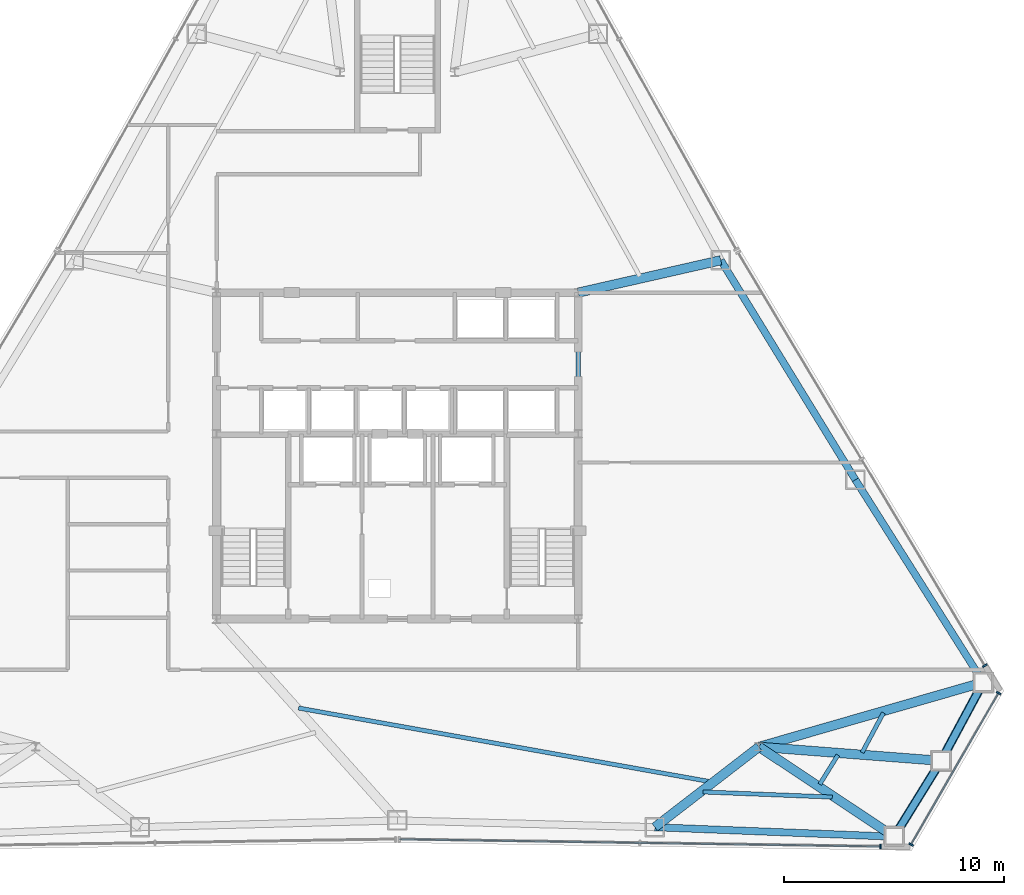
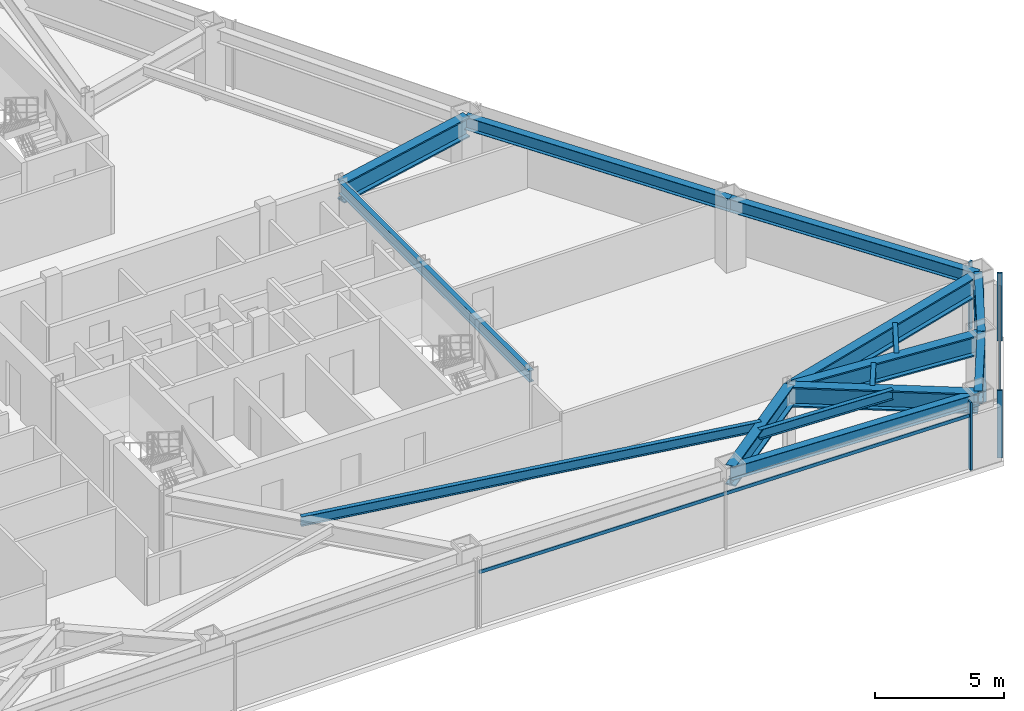
# One storey, part 6 of 13: 15 beams, 8 members, 3 elements without a shape of their own.
"""IFC4 building model written with IfcOpenShell, lengths in metres."""

from ifc_helpers import new_model, si_unit, direction, frame, origin, origin_2d, place, context, subcontext, project, spatial, rectangle, hollow_rectangle, i_section, extrude, source, transform, mapped, material, layer, layer_set, material_profile, profile_set, type_object, type_shapes, element, aggregate, save


model = new_model("IFC4")

# Units and contexts
model_context = context("Model", 3, precision=1e-05, world=origin(), true_north=direction((0.0, 1.0)))
body_context = subcontext(model_context, "Body", "Model", "MODEL_VIEW")
ifc_project = project(units=[si_unit("LENGTHUNIT", "METRE"), si_unit("AREAUNIT", "SQUARE_METRE"), si_unit("VOLUMEUNIT", "CUBIC_METRE"), si_unit("PLANEANGLEUNIT", "RADIAN"), si_unit("MASSUNIT", "GRAM", prefix="KILO")], contexts=[model_context])

# Site, building, storey
site_placement = place(None, origin())
site = spatial("IfcSite", under=ifc_project, at=site_placement, CompositionType="ELEMENT")
building_placement = place(site_placement, origin())
building = spatial("IfcBuilding", under=site, at=building_placement, Name="Varakhsha Concourse Tower", CompositionType="ELEMENT")
storey_placement = place(building_placement, frame((0.0, 0.0, 143.60009765625)))
storey = spatial("IfcBuildingStorey", under=building, at=storey_placement, Name="L41", CompositionType="ELEMENT", Elevation=143.60009765625)

# Beams
ifc_material_1 = material(Name="Structural Steel ASTM A992 Grade 50", Category="steel")
ifc_material_profile_1 = material_profile(ifc_material_1, i_section(OverallWidth=0.19091796875, OverallDepth=0.45703125, WebThickness=0.009033203125, FlangeThickness=0.013916015625, at=origin_2d()), Name="W18X50")
ifc_profile_set_1 = profile_set([ifc_material_profile_1], Name="Structural Steel ASTM A992 Grade 50")
beam_type_1 = type_object("IfcBeamType", Name="BM-JST-W18X50", PredefinedType="JOIST", material=ifc_profile_set_1)
beam_1_placement = place(storey_placement, frame((35.516357421875, 12.360595703125, 2.9814453125), z_axis=(0.984372712142, -0.176097596777, 0.0), x_axis=(0.176097596777, 0.984372712142, 0.0)))
element("IfcBeam", 1, at=beam_1_placement, inside=storey, type_object=beam_type_1, Name="BM-TJST-L41-11", PredefinedType="JOIST", context=body_context, shape_type="SweptSolid", body=[
    extrude(i_section(OverallWidth=0.19091796875, OverallDepth=0.45703125, WebThickness=0.009033203125, FlangeThickness=0.013916015625, at=origin_2d()), origin(), (0.0, 0.0, 1.0), 18.99365234375),
])
beam_2_placement = place(storey_placement, frame((53.864501953125, 8.5546875, 2.9814453125), z_axis=(0.999213812378, -0.039645392572, 0.0), x_axis=(0.039645392572, 0.999213812378, 0.0)))
element("IfcBeam", 2, at=beam_2_placement, inside=storey, type_object=beam_type_1, Name="BM-TJST-L41-12", PredefinedType="JOIST", context=body_context, shape_type="SweptSolid", body=[
    extrude(i_section(OverallWidth=0.19091796875, OverallDepth=0.45703125, WebThickness=0.009033203125, FlangeThickness=0.013916015625, at=origin_2d()), origin(), (0.0, 0.0, 1.0), 5.862548828125),
])
beam_3_placement = place(storey_placement, frame((59.154541015625, 8.900390625, 2.9814453125), z_axis=(0.525799446458, 0.850608571615, 0.0), x_axis=(-0.850608571615, 0.525799446458, 0.0)))
element("IfcBeam", 3, at=beam_3_placement, inside=storey, type_object=beam_type_1, Name="BM-TJST-L41-13", PredefinedType="JOIST", context=body_context, shape_type="SweptSolid", body=[
    extrude(i_section(OverallWidth=0.19091796875, OverallDepth=0.45703125, WebThickness=0.009033203125, FlangeThickness=0.013916015625, at=origin_2d()), origin(), (0.0, 0.0, 1.0), 1.5595703125),
])
beam_4_placement = place(storey_placement, frame((61.075439453125, 10.34130859375, 2.9814453125), z_axis=(0.473665428996, 0.880704866215, 0.0), x_axis=(-0.880704866215, 0.473665428996, 0.0)))
element("IfcBeam", 4, at=beam_4_placement, inside=storey, type_object=beam_type_1, Name="BM-TJST-L41-14", PredefinedType="JOIST", context=body_context, shape_type="SweptSolid", body=[
    extrude(i_section(OverallWidth=0.19091796875, OverallDepth=0.45703125, WebThickness=0.009033203125, FlangeThickness=0.013916015625, at=origin_2d()), origin(), (0.0, 0.0, 1.0), 2.044677734375),
])
ifc_material_profile_2 = material_profile(ifc_material_1, i_section(OverallWidth=0.423095703125, OverallDepth=0.947998046875, WebThickness=0.0380859375, FlangeThickness=0.06396484375, at=origin_2d()), Name="W36X302")
ifc_profile_set_2 = profile_set([ifc_material_profile_2], Name="Structural Steel ASTM A992 Grade 50")
beam_type_2 = type_object("IfcBeamType", Name="BM-OUTR-W36X302", PredefinedType="USERDEFINED", material=ifc_profile_set_2)
beam_5_placement = place(storey_placement, frame((56.39990234375, 10.60009765625, 2.73583984375), z_axis=(-0.791765293301, -0.610825441778, 0.0), x_axis=(0.610825441778, -0.791765293301, 0.0)))
element("IfcBeam", 5, at=beam_5_placement, inside=storey, type_object=beam_type_2, Name="L41 Radial Floor Girder 12", ObjectType="GIRDER", PredefinedType="USERDEFINED", context=body_context, shape_type="SweptSolid", body=[
    extrude(i_section(OverallWidth=0.423095703125, OverallDepth=0.947998046875, WebThickness=0.0380859375, FlangeThickness=0.06396484375, at=origin_2d()), origin(), (0.0, 0.0, 1.0), 5.966552734375),
])
beam_6_placement = place(storey_placement, frame((56.39990234375, 10.60009765625, 2.73583984375), z_axis=(0.832708011905, -0.553712350332, 0.0), x_axis=(0.553712350332, 0.832708011905, 0.0)))
element("IfcBeam", 6, at=beam_6_placement, inside=storey, type_object=beam_type_2, Name="L41 Radial Floor Girder 13", ObjectType="GIRDER", PredefinedType="USERDEFINED", context=body_context, shape_type="SweptSolid", body=[
    extrude(i_section(OverallWidth=0.423095703125, OverallDepth=0.947998046875, WebThickness=0.0380859375, FlangeThickness=0.06396484375, at=origin_2d()), origin(), (0.0, 0.0, 1.0), 7.360107421875),
])
beam_7_placement = place(storey_placement, frame((56.39990234375, 10.60009765625, 2.73583984375), z_axis=(0.997052750856, -0.076719045946, 0.0), x_axis=(0.076719045946, 0.997052750856, 0.0)))
element("IfcBeam", 7, at=beam_7_placement, inside=storey, type_object=beam_type_2, Name="L41 Radial Floor Girder 14", ObjectType="GIRDER", PredefinedType="USERDEFINED", context=body_context, shape_type="SweptSolid", body=[
    extrude(i_section(OverallWidth=0.423095703125, OverallDepth=0.947998046875, WebThickness=0.0380859375, FlangeThickness=0.06396484375, at=origin_2d()), origin(), (0.0, 0.0, 1.0), 8.2802734375),
])
beam_8_placement = place(storey_placement, frame((56.39990234375, 10.60009765625, 2.73583984375), z_axis=(0.961004351566, 0.27653324623, 0.0), x_axis=(-0.27653324623, 0.961004351566, 0.0)))
element("IfcBeam", 8, at=beam_8_placement, inside=storey, type_object=beam_type_2, Name="L41 Radial Floor Girder 15", ObjectType="GIRDER", PredefinedType="USERDEFINED", context=body_context, shape_type="SweptSolid", body=[
    extrude(i_section(OverallWidth=0.423095703125, OverallDepth=0.947998046875, WebThickness=0.0380859375, FlangeThickness=0.06396484375, at=origin_2d()), origin(), (0.0, 0.0, 1.0), 10.584716796875),
])
beam_9_placement = place(storey_placement, frame((48.199951171875, 31.199951171875, 2.73583984375), z_axis=(0.97518598452, 0.221387207388, 0.0), x_axis=(-0.221387207388, 0.97518598452, 0.0)))
element("IfcBeam", 9, at=beam_9_placement, inside=storey, type_object=beam_type_2, Name="L41 Radial Floor Girder 17", ObjectType="GIRDER", PredefinedType="USERDEFINED", context=body_context, shape_type="SweptSolid", body=[
    extrude(i_section(OverallWidth=0.423095703125, OverallDepth=0.947998046875, WebThickness=0.0380859375, FlangeThickness=0.06396484375, at=origin_2d()), origin(), (0.0, 0.0, 1.0), 6.632080078125),
])
ifc_material_profile_3 = material_profile(ifc_material_1, i_section(OverallWidth=0.2109375, OverallDepth=0.5390625, WebThickness=0.011962890625, FlangeThickness=0.01904296875, at=origin_2d()), Name="W21X73")
ifc_profile_set_3 = profile_set([ifc_material_profile_3], Name="Structural Steel ASTM A992 Grade 50")
beam_type_3 = type_object("IfcBeamType", Name="BM-RAD-W21X73", PredefinedType="BEAM", material=ifc_profile_set_3)
beam_10_placement = place(storey_placement, frame((48.199951171875, 16.39990234375, 2.9404296875), z_axis=(0.0, 1.0, 0.0), x_axis=(-1.0, 0.0, 0.0)))
element("IfcBeam", 10, at=beam_10_placement, inside=storey, type_object=beam_type_3, Name="BM-TCORE-L41-CE", PredefinedType="BEAM", context=body_context, shape_type="SweptSolid", body=[
    extrude(i_section(OverallWidth=0.2109375, OverallDepth=0.5390625, WebThickness=0.011962890625, FlangeThickness=0.01904296875, at=origin_2d()), origin(), (0.0, 0.0, 1.0), 14.800048828125),
])
ifc_material_profile_4 = material_profile(ifc_material_1, i_section(OverallWidth=0.323974609375, OverallDepth=0.611083984375, WebThickness=0.012939453125, FlangeThickness=0.01904296875, at=origin_2d()), Name="W24X104")
ifc_profile_set_4 = profile_set([ifc_material_profile_4], Name="Structural Steel ASTM A992 Grade 50")
beam_type_4 = type_object("IfcBeamType", Name="BM-SPAN-W24X104", PredefinedType="SPANDREL", material=ifc_profile_set_4)
beam_11_placement = place(storey_placement, frame((51.67578125, 6.95556640625, 2.904296875), z_axis=(0.999212728307, -0.039672705841, 0.0), x_axis=(0.039672705841, 0.999212728307, 0.0)))
element("IfcBeam", 11, at=beam_11_placement, inside=storey, type_object=beam_type_4, Name="BM-SPAN-L41-12", PredefinedType="SPANDREL", context=body_context, shape_type="SweptSolid", body=[
    extrude(i_section(OverallWidth=0.323974609375, OverallDepth=0.611083984375, WebThickness=0.012939453125, FlangeThickness=0.01904296875, at=origin_2d()), origin(), (0.0, 0.0, 1.0), 10.861572265625),
])
beam_12_placement = place(storey_placement, frame((62.52880859375, 6.524658203125, 2.904296875), z_axis=(0.525874503709, 0.850562170772, 0.0), x_axis=(-0.850562170772, 0.525874503709, 0.0)))
element("IfcBeam", 12, at=beam_12_placement, inside=storey, type_object=beam_type_4, Name="BM-SPAN-L41-13", PredefinedType="SPANDREL", context=body_context, shape_type="SweptSolid", body=[
    extrude(i_section(OverallWidth=0.323974609375, OverallDepth=0.611083984375, WebThickness=0.012939453125, FlangeThickness=0.01904296875, at=origin_2d()), origin(), (0.0, 0.0, 1.0), 4.044677734375),
])
beam_13_placement = place(storey_placement, frame((64.65576171875, 9.96484375, 2.904296875), z_axis=(0.473693045158, 0.880690012984, 0.0), x_axis=(-0.880690012984, 0.473693045158, 0.0)))
element("IfcBeam", 13, at=beam_13_placement, inside=storey, type_object=beam_type_4, Name="BM-SPAN-L41-14", PredefinedType="SPANDREL", context=body_context, shape_type="SweptSolid", body=[
    extrude(i_section(OverallWidth=0.323974609375, OverallDepth=0.611083984375, WebThickness=0.012939453125, FlangeThickness=0.01904296875, at=origin_2d()), origin(), (0.0, 0.0, 1.0), 4.044921875),
])
beam_14_placement = place(storey_placement, frame((66.57177734375, 13.527099609375, 2.904296875), z_axis=(-0.533969312185, 0.845503857853, 0.0), x_axis=(-0.845503857853, -0.533969312185, 0.0)))
element("IfcBeam", 14, at=beam_14_placement, inside=storey, type_object=beam_type_4, Name="BM-SPAN-L41-15", PredefinedType="SPANDREL", context=body_context, shape_type="SweptSolid", body=[
    extrude(i_section(OverallWidth=0.323974609375, OverallDepth=0.611083984375, WebThickness=0.012939453125, FlangeThickness=0.01904296875, at=origin_2d()), origin(), (0.0, 0.0, 1.0), 10.861572265625),
])
beam_15_placement = place(storey_placement, frame((60.77197265625, 22.710693359375, 2.904296875), z_axis=(-0.522655184814, 0.852544167646, 0.0), x_axis=(-0.852544167646, -0.522655184814, 0.0)))
element("IfcBeam", 15, at=beam_15_placement, inside=storey, type_object=beam_type_4, Name="BM-SPAN-L41-16", PredefinedType="SPANDREL", context=body_context, shape_type="SweptSolid", body=[
    extrude(i_section(OverallWidth=0.323974609375, OverallDepth=0.611083984375, WebThickness=0.012939453125, FlangeThickness=0.01904296875, at=origin_2d()), origin(), (0.0, 0.0, 1.0), 11.6796875),
])

# Members
ifc_material_2 = material(Name="Structural Steel ASTM A500 Grade C", Category="steel")
ifc_material_profile_5 = material_profile(ifc_material_2, hollow_rectangle(XDim=0.39990234375, YDim=0.39990234375, WallThickness=0.01611328125, at=origin_2d()), Name="HSS 400x400x16")
ifc_profile_set_5 = profile_set([ifc_material_profile_5], Name="Structural Steel ASTM A500 Grade C")
member_type_1 = type_object("IfcMemberType", Name="MB-TUBE-HSS400", PredefinedType="BRACE", material=ifc_profile_set_5)
shared_shape_1 = source(origin(), body_context, "Body", "SweptSolid", [
    extrude(hollow_rectangle(XDim=0.39990234375, YDim=0.39990234375, WallThickness=0.01611328125, at=origin_2d()), origin(), (0.0, 0.0, 1.0), 4.91357421875),
])
member_1_placement = place(storey_placement, frame((64.65576171875, 9.96484375, 0.119873046875), z_axis=(-0.4328736846, -0.70014039138, 0.567823745135), x_axis=(0.850562170772, -0.525874503709, 0.0)))
element("IfcMember", 16, at=member_1_placement, inside=storey, type_object=member_type_1, Name="L41 Wind-Corner Tube Brace B05", PredefinedType="BRACE", context=body_context, shape_type="MappedRepresentation", body=[
    mapped(shared_shape_1, transform((0.0, 0.0, 0.0), scale=1.0)),
])
shared_shape_2 = source(origin(), body_context, "Body", "SweptSolid", [
    extrude(hollow_rectangle(XDim=0.39990234375, YDim=0.39990234375, WallThickness=0.01611328125, at=origin_2d()), origin(), (0.0, 0.0, 1.0), 4.913818359375),
])
type_shapes(member_type_1, [shared_shape_1, shared_shape_2])
member_2_placement = place(storey_placement, frame((64.65576171875, 9.96484375, 0.119873046875), z_axis=(0.389928102475, 0.724954248626, 0.567800503961), x_axis=(-0.880690012984, 0.473693045158, 0.0)))
element("IfcMember", 17, at=member_2_placement, inside=storey, type_object=member_type_1, Name="L41 Wind-Corner Tube Brace B06", PredefinedType="BRACE", context=body_context, shape_type="MappedRepresentation", body=[
    mapped(shared_shape_2, transform((0.0, 0.0, 0.0), scale=1.0)),
])

# Curtain wall, member
ifc_material_3 = material(Name="Anodised Bronze Architectural Aluminium AA 6063-T6", Category="aluminium")
ifc_layer = layer(ifc_material_3, 0.2099609375, Name="CW-SYS-04")
ifc_layer_set = layer_set([ifc_layer], Name="Anodised Bronze Architectural Aluminium AA 6063-T6")
curtain_wall_type = type_object("IfcCurtainWallType", Name="CW-SYS-04", PredefinedType="NOTDEFINED", material=ifc_layer_set)
curtain_wall_1_placement = place(storey_placement, origin())
curtain_wall_1 = element("IfcCurtainWall", 18, at=curtain_wall_1_placement, inside=storey, type_object=curtain_wall_type, Name="L41 Crystal Curtain Wall F6", PredefinedType="NOTDEFINED")
ifc_material_profile_6 = material_profile(ifc_material_3, rectangle(XDim=0.074951171875, YDim=0.219970703125, at=origin_2d()), Name="CWM-220X75")
ifc_profile_set_6 = profile_set([ifc_material_profile_6], Name="Anodised Bronze Architectural Aluminium AA 6063-T6")
member_type_2 = type_object("IfcMemberType", Name="CWM-220X75", PredefinedType="MULLION", material=ifc_profile_set_6)
shared_shape_3 = source(origin(), body_context, "Body", "SweptSolid", [
    extrude(rectangle(XDim=0.074951171875, YDim=0.219970703125, at=origin_2d()), origin(), (0.0, 0.0, 1.0), 3.2099609375),
])
type_shapes(member_type_2, [shared_shape_3])
member_3_placement = place(storey_placement, frame((61.90771484375, 6.081298828125, 0.0), z_axis=(0.0, 0.0, 1.0), x_axis=(-0.99988654105, 0.015063367057, 0.0)))
member_3 = element("IfcMember", 19, at=member_3_placement, type_object=member_type_2, Name="CW-L41-F6 Mullion 00", PredefinedType="MULLION", context=body_context, shape_type="MappedRepresentation", body=[
    mapped(shared_shape_3, transform((0.0, 0.0, 0.0), scale=1.0)),
])

# Curtain wall, members
curtain_wall_2_placement = place(storey_placement, origin())
curtain_wall_2 = element("IfcCurtainWall", 20, at=curtain_wall_2_placement, inside=storey, type_object=curtain_wall_type, Name="L41 Chamfer Curtain Wall F7", PredefinedType="NOTDEFINED")
member_4_placement = place(storey_placement, frame((67.26220703125, 13.039306640625, 0.0), z_axis=(0.0, 0.0, 1.0), x_axis=(-0.5, -0.866025403784, 0.0)))
member_4 = element("IfcMember", 21, at=member_4_placement, type_object=member_type_2, Name="CW-L41-F7 Mullion 00", PredefinedType="MULLION", context=body_context, shape_type="MappedRepresentation", body=[
    mapped(shared_shape_3, transform((0.0, 0.0, 0.0), scale=1.0)),
])
member_5_placement = place(storey_placement, frame((63.29638671875, 6.17041015625, 0.0), z_axis=(0.0, 0.0, 1.0), x_axis=(-0.5, -0.866025403784, 0.0)))
member_5 = element("IfcMember", 22, at=member_5_placement, type_object=member_type_2, Name="CW-L41-F7 Mullion 01", PredefinedType="MULLION", context=body_context, shape_type="MappedRepresentation", body=[
    mapped(shared_shape_3, transform((0.0, 0.0, 0.0), scale=1.0)),
])

# Curtain wall, member
curtain_wall_3_placement = place(storey_placement, origin())
curtain_wall_3 = element("IfcCurtainWall", 23, at=curtain_wall_3_placement, inside=storey, type_object=curtain_wall_type, Name="L41 Crystal Curtain Wall F8", PredefinedType="NOTDEFINED")
member_6_placement = place(storey_placement, frame((66.64501953125, 14.28662109375, 0.0), z_axis=(0.0, 0.0, 1.0), x_axis=(0.512984034508, -0.858398147913, 0.0)))
member_6 = element("IfcMember", 24, at=member_6_placement, type_object=member_type_2, Name="CW-L41-F8 Mullion 02", PredefinedType="MULLION", context=body_context, shape_type="MappedRepresentation", body=[
    mapped(shared_shape_3, transform((0.0, 0.0, 0.0), scale=1.0)),
])
aggregate(curtain_wall_3, [member_6])

# Member
ifc_material_profile_7 = material_profile(ifc_material_3, rectangle(XDim=0.06494140625, YDim=0.159912109375, at=origin_2d()), Name="CWT-160X65")
ifc_profile_set_7 = profile_set([ifc_material_profile_7], Name="Anodised Bronze Architectural Aluminium AA 6063-T6")
member_type_3 = type_object("IfcMemberType", Name="CWT-160X65", PredefinedType="USERDEFINED", material=ifc_profile_set_7)
shared_shape_4 = source(origin(), body_context, "Body", "SweptSolid", [
    extrude(rectangle(XDim=0.06494140625, YDim=0.159912109375, at=origin_2d()), origin(), (0.0, 0.0, 1.0), 21.82763671875),
])
member_7_placement = place(storey_placement, frame((61.90771484375, 6.081298828125, 2.559814453125), z_axis=(-0.999886500205, 0.015066078077, 0.0), x_axis=(-0.015066078077, -0.999886500205, 0.0)))
member_7 = element("IfcMember", 25, at=member_7_placement, type_object=member_type_3, Name="CW-L41-F6 Transom 01", ObjectType="TRANSOM", PredefinedType="USERDEFINED", context=body_context, shape_type="MappedRepresentation", body=[
    mapped(shared_shape_4, transform((0.0, 0.0, 0.0), scale=1.0)),
])

aggregate(curtain_wall_1, [member_3, member_7])

shared_shape_5 = source(origin(), body_context, "Body", "SweptSolid", [
    extrude(rectangle(XDim=0.06494140625, YDim=0.159912109375, at=origin_2d()), origin(), (0.0, 0.0, 1.0), 7.931640625),
])
type_shapes(member_type_3, [shared_shape_4, shared_shape_5])
member_8_placement = place(storey_placement, frame((67.26220703125, 13.039306640625, 2.559814453125), z_axis=(-0.500005775488, -0.866022069279, 0.0), x_axis=(0.866022069279, -0.500005775488, 0.0)))
member_8 = element("IfcMember", 26, at=member_8_placement, type_object=member_type_3, Name="CW-L41-F7 Transom 01", ObjectType="TRANSOM", PredefinedType="USERDEFINED", context=body_context, shape_type="MappedRepresentation", body=[
    mapped(shared_shape_5, transform((0.0, 0.0, 0.0), scale=1.0)),
])

aggregate(curtain_wall_2, [member_4, member_5, member_8])

save(model, "model.ifc")
